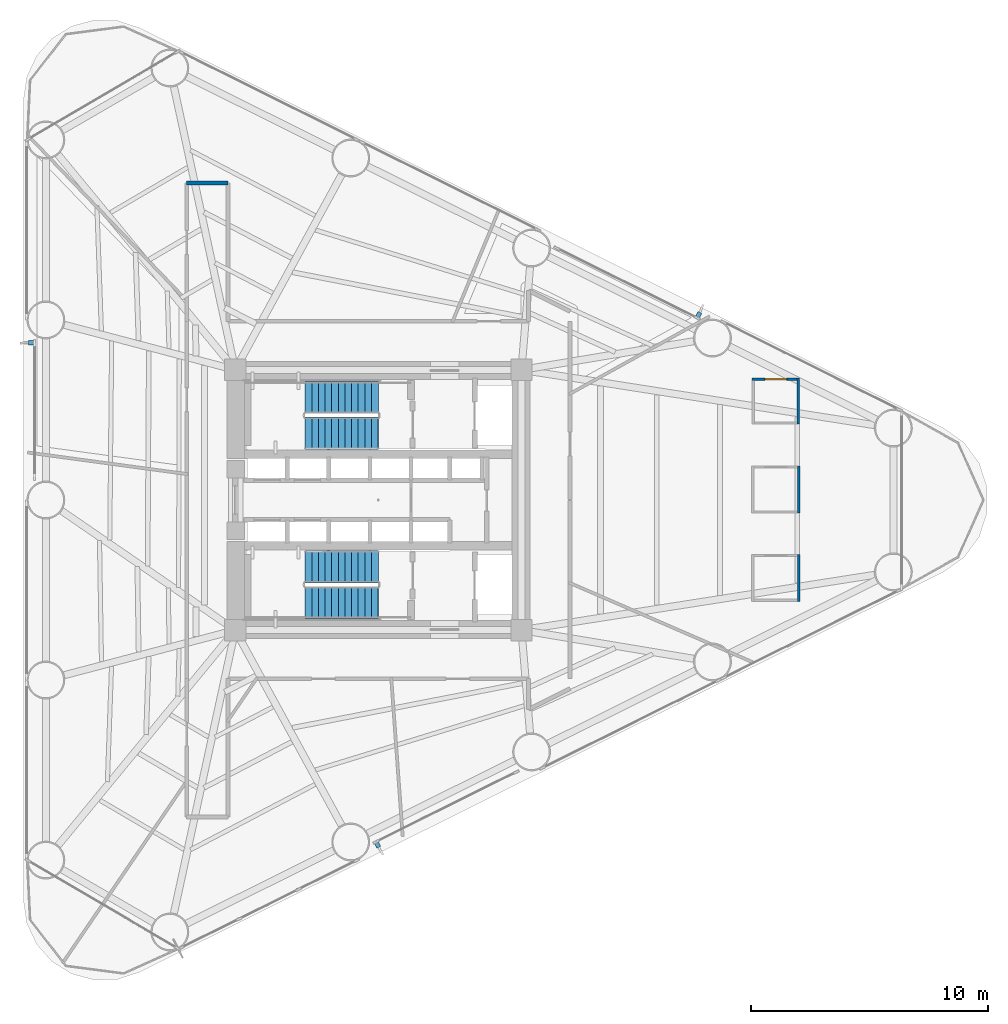
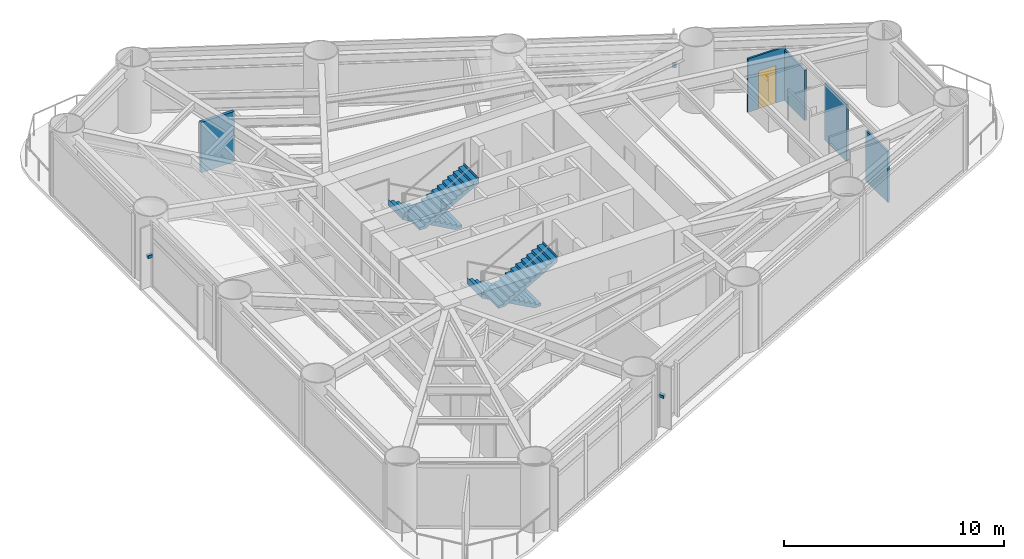
# One storey, part 7 of 10: 5 walls, 4 stair flights, 3 discrete accessories, 1 door, 1 opening, 2 elements without a shape of their own.
"""IFC4 building model written with IfcOpenShell, lengths in metres."""

from ifc_helpers import new_model, si_unit, direction, frame, frame_2d, origin, origin_2d, place, context, subcontext, project, spatial, polyline, rectangle, outline, extrude, source, transform, mapped, material, layer, layer_set, type_object, element, fill, aggregate, save


model = new_model("IFC4")

# Units and contexts
model_context = context("Model", 3, precision=1e-05, world=origin(), true_north=direction((0.0, 1.0)))
body_context = subcontext(model_context, "Body", "Model", "MODEL_VIEW")
ifc_project = project(units=[si_unit("LENGTHUNIT", "METRE"), si_unit("AREAUNIT", "SQUARE_METRE"), si_unit("VOLUMEUNIT", "CUBIC_METRE"), si_unit("PLANEANGLEUNIT", "RADIAN"), si_unit("MASSUNIT", "GRAM", prefix="KILO")], contexts=[model_context])

# Site, building, storey
site_placement = place(None, origin())
site = spatial("IfcSite", under=ifc_project, at=site_placement, CompositionType="ELEMENT")
building_placement = place(site_placement, origin())
building = spatial("IfcBuilding", under=site, at=building_placement, Name="Yunling Apex Tower", CompositionType="ELEMENT")
storey_placement = place(building_placement, frame((0.0, 0.0, 31.199951171875)))
storey = spatial("IfcBuildingStorey", under=building, at=storey_placement, Name="L09", CompositionType="ELEMENT", Elevation=31.199951171875)

# Walls
ifc_material_1 = material(Name="Gypsum board acoustic partition")
ifc_layer_1 = layer(ifc_material_1, 0.159912109375)
ifc_layer_set_1 = layer_set([ifc_layer_1], Name="Gypsum board acoustic partition")
wall_type_1 = type_object("IfcWallType", Name="WL-PRT-1", PredefinedType="PARTITIONING", material=ifc_layer_set_1)
wall_1_placement = place(storey_placement, frame((-8.10009765625, 13.39990234375, 0.0), z_axis=(0.0, 0.0, 1.0), x_axis=(1.0, 0.0, 0.0)))
element("IfcWall", 1, at=wall_1_placement, inside=storey, type_object=wall_type_1, Name="WL-CORR-L09-07", PredefinedType="PARTITIONING", context=body_context, shape_type="SweptSolid", body=[
    extrude(rectangle(XDim=1.75, YDim=0.159912109375, at=frame_2d((0.875, 0.0))), origin(), (0.0, 0.0, 1.0), 2.800048828125),
])
ifc_layer_2 = layer(ifc_material_1, 0.10009765625)
ifc_layer_set_2 = layer_set([ifc_layer_2], Name="Gypsum board acoustic partition")
wall_type_2 = type_object("IfcWallType", Name="WL-PRT-4", PredefinedType="PARTITIONING", material=ifc_layer_set_2)
wall_2_placement = place(storey_placement, frame((17.77001953125, 1.443115234375, 0.0), z_axis=(0.0, 0.0, 1.0), x_axis=(0.0, -1.0, 0.0)))
element("IfcWall", 2, at=wall_2_placement, inside=storey, type_object=wall_type_2, Name="WL-L09-WCME", PredefinedType="PARTITIONING", context=body_context, shape_type="SweptSolid", body=[
    extrude(rectangle(XDim=2.0, YDim=0.10009765625, at=frame_2d((1.0, 0.0))), origin(), (0.0, 0.0, 1.0), 3.150146484375),
])
wall_3_placement = place(storey_placement, frame((17.77001953125, -2.2939453125, 0.0), z_axis=(0.0, 0.0, 1.0), x_axis=(0.0, -1.0, 0.0)))
element("IfcWall", 3, at=wall_3_placement, inside=storey, type_object=wall_type_2, Name="WL-L09-WCFE", PredefinedType="PARTITIONING", context=body_context, shape_type="SweptSolid", body=[
    extrude(rectangle(XDim=2.0, YDim=0.10009765625, at=frame_2d((1.0, 0.0))), origin(), (0.0, 0.0, 1.0), 2.800048828125),
])

# Wall, opening, door
wall_4_placement = place(storey_placement, frame((15.794921875, 5.10595703125, 0.0), z_axis=(0.0, 0.0, 1.0), x_axis=(1.0, 0.0, 0.0)))
wall_4 = element("IfcWall", 4, at=wall_4_placement, inside=storey, type_object=wall_type_2, Name="WL-L09-WCAN", PredefinedType="PARTITIONING", context=body_context, shape_type="SweptSolid", body=[
    extrude(rectangle(XDim=2.0, YDim=0.10009765625, at=frame_2d((1.0, 0.0))), origin(), (0.0, 0.0, 1.0), 2.9599609375),
])
opening_placement = place(wall_4_placement, frame((0.5400390625, 0.0, 0.0)))
opening = element("IfcOpeningElement", 5, at=opening_placement, cuts=wall_4, Name="Opening DR-WC-1", PredefinedType="OPENING", context=body_context, shape_type="SweptSolid", body=[
    extrude(rectangle(XDim=0.919921875, YDim=2.10009765625, at=frame_2d((0.4599609375, 1.050048828125))), frame((0.0, 0.06005859375, 0.0), z_axis=(0.0, -1.0, 0.0), x_axis=(1.0, 0.0, 0.0)), (0.0, 0.0, 1.0), 0.1201171875),
])
ifc_material_2 = material(Name="Timber moisture-resistant leaf", Category="wood")
door_type = type_object("IfcDoorType", Name="DR-WC-1", OperationType="NOTDEFINED", PredefinedType="DOOR", material=ifc_material_2)
door_placement = place(opening_placement, origin())
door = element("IfcDoor", 6, at=door_placement, inside=storey, type_object=door_type, Name="L09 Accessible WC Door", OperationType="SINGLE_SWING_LEFT", OverallHeight=2.10009765625, OverallWidth=0.919921875, PredefinedType="DOOR", context=body_context, shape_type="SweptSolid", body=[
    extrude(rectangle(XDim=0.919921875, YDim=2.10009765625, at=frame_2d((0.4599609375, 1.050048828125))), frame((0.0, 0.02490234375, 0.0), z_axis=(0.0, -1.0, 0.0), x_axis=(1.0, 0.0, 0.0)), (0.0, 0.0, 1.0), 0.050048828125),
])
fill(opening, door)

# Wall
wall_5_placement = place(storey_placement, frame((17.7451171875, 5.156005859375, 0.0), z_axis=(0.0, 0.0, 1.0), x_axis=(0.0, -1.0, 0.0)))
element("IfcWall", 7, at=wall_5_placement, inside=storey, type_object=wall_type_2, Name="WL-L09-WCAE", PredefinedType="PARTITIONING", context=body_context, shape_type="SweptSolid", body=[
    extrude(rectangle(XDim=1.949951171875, YDim=0.10009765625, at=frame_2d((0.97509765625, 0.0))), origin(), (0.0, 0.0, 1.0), 2.800048828125),
])

# Stair, stair flights
ifc_material_3 = material(Name="Concrete C40", Category="concrete")
stair_type = type_object("IfcStairType", Name="ST-TWR-1", PredefinedType="HALF_TURN_STAIR", material=ifc_material_3)
stair_1_placement = place(storey_placement, origin())
stair_1 = element("IfcStair", 8, at=stair_1_placement, inside=storey, type_object=stair_type, Name="L09 North Core Smokeproof Exit Stair ST-1", PredefinedType="HALF_TURN_STAIR")
stair_flight_type = type_object("IfcStairFlightType", Name="SFL-TWR-1", PredefinedType="STRAIGHT", material=ifc_material_3)
stair_flight_1_placement = place(storey_placement, frame((-0.010009765625, 4.330078125, 0.0), z_axis=(0.0, 0.0, 1.0), x_axis=(-1.0, 0.0, 0.0)))
stair_flight_1 = element("IfcStairFlight", 9, at=stair_flight_1_placement, type_object=stair_flight_type, Name="ST-1 flight 1", NumberOfRisers=12, NumberOfTreads=11, PredefinedType="STRAIGHT", RiserHeight=0.154166667, TreadLength=0.28, context=body_context, shape_type="SweptSolid", body=[
    extrude(outline(polyline([(-0.011962890625, 0.0), (-0.011962890625, 0.154052734375), (0.0, 0.154052734375), (0.280029296875, 0.154052734375), (0.280029296875, 0.308349609375), (0.56005859375, 0.308349609375), (0.56005859375, 0.46240234375), (0.840087890625, 0.46240234375), (0.840087890625, 0.61669921875), (1.1201171875, 0.61669921875), (1.1201171875, 0.770751953125), (1.39990234375, 0.770751953125), (1.39990234375, 0.925048828125), (1.679931640625, 0.925048828125), (1.679931640625, 1.0791015625), (1.9599609375, 1.0791015625), (1.9599609375, 1.2333984375), (2.239990234375, 1.2333984375), (2.239990234375, 1.387451171875), (2.52001953125, 1.387451171875), (2.52001953125, 1.541748046875), (2.800048828125, 1.541748046875), (2.800048828125, 1.69580078125), (3.080078125, 1.69580078125), (3.080078125, 1.85009765625), (3.092041015625, 1.85009765625), (3.092041015625, 1.51318359375), (0.33154296875, 0.0), (-0.011962890625, 0.0)])), frame((0.0, 0.68017578125, 0.0), z_axis=(0.0, -1.0, 0.0), x_axis=(1.0, 0.0, 0.0)), (0.0, 0.0, 1.0), 1.360107421875),
])
stair_flight_2_placement = place(storey_placement, frame((-3.090087890625, 2.820068359375, 1.85009765625), z_axis=(0.0, 0.0, 1.0), x_axis=(1.0, 0.0, 0.0)))
stair_flight_2 = element("IfcStairFlight", 10, at=stair_flight_2_placement, type_object=stair_flight_type, Name="ST-1 flight 2", NumberOfRisers=12, NumberOfTreads=11, PredefinedType="STRAIGHT", RiserHeight=0.154166667, TreadLength=0.28, context=body_context, shape_type="SweptSolid", body=[
    extrude(outline(polyline([(-0.011962890625, 0.0), (-0.011962890625, 0.154052734375), (0.0, 0.154052734375), (0.280029296875, 0.154052734375), (0.280029296875, 0.308349609375), (0.56005859375, 0.308349609375), (0.56005859375, 0.46240234375), (0.840087890625, 0.46240234375), (0.840087890625, 0.61669921875), (1.1201171875, 0.61669921875), (1.1201171875, 0.770751953125), (1.39990234375, 0.770751953125), (1.39990234375, 0.925048828125), (1.679931640625, 0.925048828125), (1.679931640625, 1.0791015625), (1.9599609375, 1.0791015625), (1.9599609375, 1.2333984375), (2.239990234375, 1.2333984375), (2.239990234375, 1.387451171875), (2.52001953125, 1.387451171875), (2.52001953125, 1.541748046875), (2.800048828125, 1.541748046875), (2.800048828125, 1.69580078125), (3.080078125, 1.69580078125), (3.080078125, 1.85009765625), (3.092041015625, 1.85009765625), (3.092041015625, 1.51318359375), (0.33154296875, 0.0), (-0.011962890625, 0.0)])), frame((0.0, 0.68017578125, 0.0), z_axis=(0.0, -1.0, 0.0), x_axis=(1.0, 0.0, 0.0)), (0.0, 0.0, 1.0), 1.360107421875),
])
aggregate(stair_1, [stair_flight_1, stair_flight_2])

stair_2_placement = place(storey_placement, origin())
stair_2 = element("IfcStair", 11, at=stair_2_placement, inside=storey, type_object=stair_type, Name="L09 South Core Smokeproof Exit Stair ST-2", PredefinedType="HALF_TURN_STAIR")
stair_flight_3_placement = place(storey_placement, frame((-0.010009765625, -2.820068359375, 0.0), z_axis=(0.0, 0.0, 1.0), x_axis=(-1.0, 0.0, 0.0)))
stair_flight_3 = element("IfcStairFlight", 12, at=stair_flight_3_placement, type_object=stair_flight_type, Name="ST-2 flight 1", NumberOfRisers=12, NumberOfTreads=11, PredefinedType="STRAIGHT", RiserHeight=0.154166667, TreadLength=0.28, context=body_context, shape_type="SweptSolid", body=[
    extrude(outline(polyline([(-0.011962890625, 0.0), (-0.011962890625, 0.154052734375), (0.0, 0.154052734375), (0.280029296875, 0.154052734375), (0.280029296875, 0.308349609375), (0.56005859375, 0.308349609375), (0.56005859375, 0.46240234375), (0.840087890625, 0.46240234375), (0.840087890625, 0.61669921875), (1.1201171875, 0.61669921875), (1.1201171875, 0.770751953125), (1.39990234375, 0.770751953125), (1.39990234375, 0.925048828125), (1.679931640625, 0.925048828125), (1.679931640625, 1.0791015625), (1.9599609375, 1.0791015625), (1.9599609375, 1.2333984375), (2.239990234375, 1.2333984375), (2.239990234375, 1.387451171875), (2.52001953125, 1.387451171875), (2.52001953125, 1.541748046875), (2.800048828125, 1.541748046875), (2.800048828125, 1.69580078125), (3.080078125, 1.69580078125), (3.080078125, 1.85009765625), (3.092041015625, 1.85009765625), (3.092041015625, 1.51318359375), (0.33154296875, 0.0), (-0.011962890625, 0.0)])), frame((0.0, 0.68017578125, 0.0), z_axis=(0.0, -1.0, 0.0), x_axis=(1.0, 0.0, 0.0)), (0.0, 0.0, 1.0), 1.360107421875),
])
stair_flight_4_placement = place(storey_placement, frame((-3.090087890625, -4.330078125, 1.85009765625), z_axis=(0.0, 0.0, 1.0), x_axis=(1.0, 0.0, 0.0)))
stair_flight_4 = element("IfcStairFlight", 13, at=stair_flight_4_placement, type_object=stair_flight_type, Name="ST-2 flight 2", NumberOfRisers=12, NumberOfTreads=11, PredefinedType="STRAIGHT", RiserHeight=0.154166667, TreadLength=0.28, context=body_context, shape_type="SweptSolid", body=[
    extrude(outline(polyline([(-0.011962890625, 0.0), (-0.011962890625, 0.154052734375), (0.0, 0.154052734375), (0.280029296875, 0.154052734375), (0.280029296875, 0.308349609375), (0.56005859375, 0.308349609375), (0.56005859375, 0.46240234375), (0.840087890625, 0.46240234375), (0.840087890625, 0.61669921875), (1.1201171875, 0.61669921875), (1.1201171875, 0.770751953125), (1.39990234375, 0.770751953125), (1.39990234375, 0.925048828125), (1.679931640625, 0.925048828125), (1.679931640625, 1.0791015625), (1.9599609375, 1.0791015625), (1.9599609375, 1.2333984375), (2.239990234375, 1.2333984375), (2.239990234375, 1.387451171875), (2.52001953125, 1.387451171875), (2.52001953125, 1.541748046875), (2.800048828125, 1.541748046875), (2.800048828125, 1.69580078125), (3.080078125, 1.69580078125), (3.080078125, 1.85009765625), (3.092041015625, 1.85009765625), (3.092041015625, 1.51318359375), (0.33154296875, 0.0), (-0.011962890625, 0.0)])), frame((0.0, 0.68017578125, 0.0), z_axis=(0.0, -1.0, 0.0), x_axis=(1.0, 0.0, 0.0)), (0.0, 0.0, 1.0), 1.360107421875),
])
aggregate(stair_2, [stair_flight_3, stair_flight_4])

# Discrete accessories
ifc_material_4 = material(Name="Steel Q355B", Category="steel")
discrete_accessory_type = type_object("IfcDiscreteAccessoryType", Name="BK-FIN-1", PredefinedType="BRACKET", material=ifc_material_4)
shared_shape = source(origin(), body_context, "Body", "SweptSolid", [
    extrude(rectangle(XDim=0.179931640625, YDim=0.260009765625, at=origin_2d()), origin(), (0.0, 0.0, 1.0), 0.159912109375),
])
for number, where, z_axis, x_axis, name in (
    (14, (-0.0380859375, -14.561279296875, 1.677734375), (0.0, 0.0, 1.0), (0.895245648325, 0.445572922377, 0.0), "CW-L09-F1-B2-BRK-01-1"),
    (15, (13.527587890625, 7.8095703125, 1.677734375), (0.0, 0.0, 1.0), (-0.895245648325, 0.445572922377, 0.0), "CW-L09-F2-B2-BRK-01-1"),
    (16, (-14.652099609375, 6.64697265625, 1.677734375), (0.0, 0.0, 1.0), (0.0, -1.0, 0.0), "CW-L09-F3-B2-BRK-01-1"),
):
    element("IfcDiscreteAccessory", number, at=place(storey_placement, frame(where, z_axis=z_axis, x_axis=x_axis)), inside=storey, type_object=discrete_accessory_type, Name=name, PredefinedType="BRACKET", context=body_context, shape_type="MappedRepresentation", body=[
        mapped(shared_shape, transform((0.0, 0.0, 0.0), scale=1.0)),
    ])

save(model, "model.ifc")
